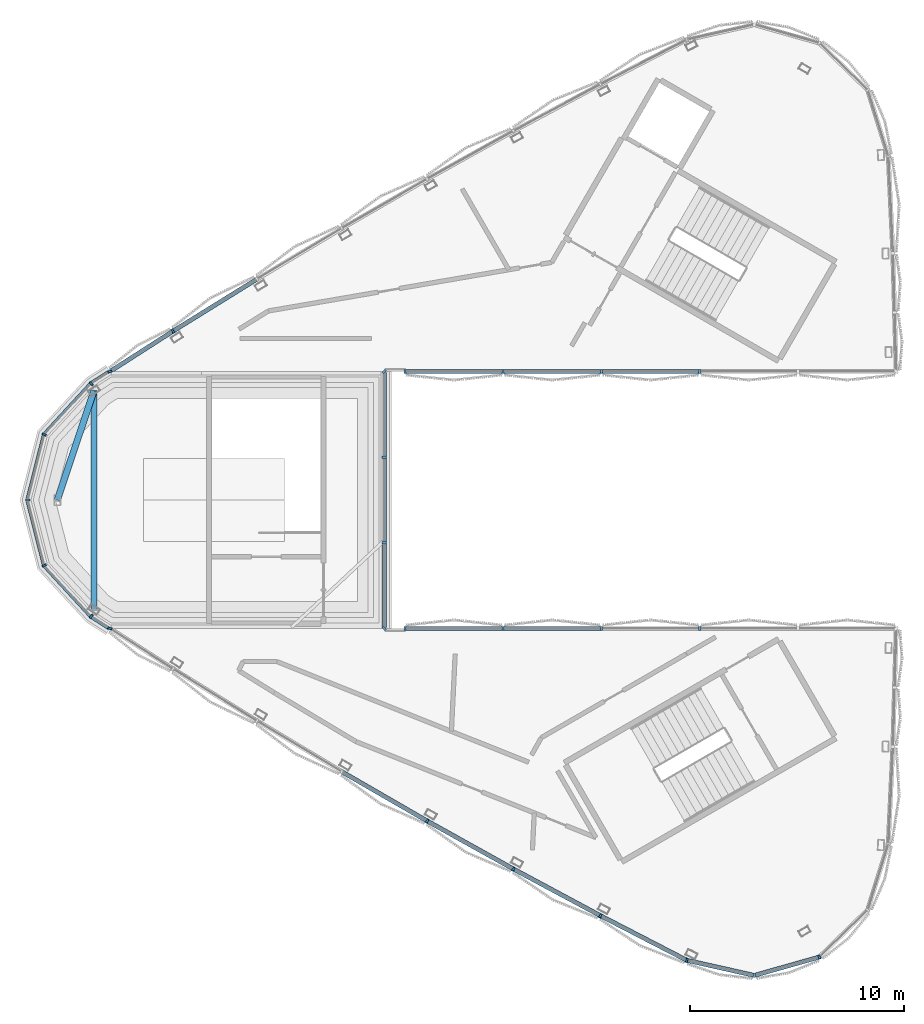
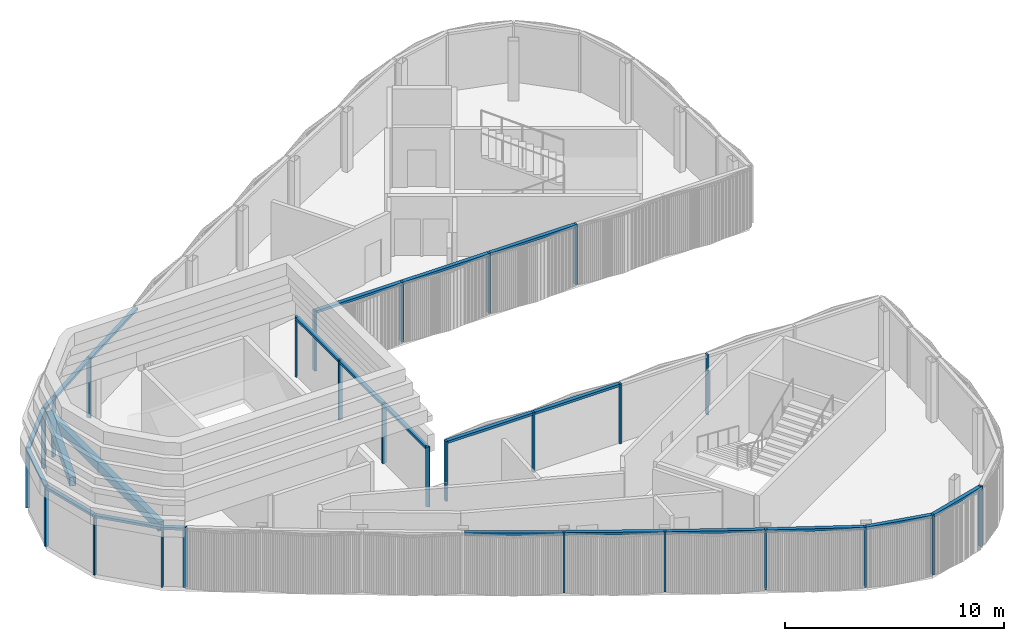
# One storey, part 3 of 16: 43 members, 2 beams, 3 elements without a shape of their own.
"""IFC4 building model written with IfcOpenShell, lengths in metres."""

from ifc_helpers import new_model, si_unit, direction, frame, origin, origin_2d, place, context, subcontext, project, spatial, rectangle, hollow_rectangle, extrude, material, material_profile, profile_set, type_object, element, aggregate, save


model = new_model("IFC4")

# Units and contexts
model_context = context("Model", 3, precision=1e-05, world=origin(), true_north=direction((0.0, 1.0)))
body_context = subcontext(model_context, "Body", "Model", "MODEL_VIEW")
ifc_project = project(units=[si_unit("LENGTHUNIT", "METRE"), si_unit("AREAUNIT", "SQUARE_METRE"), si_unit("VOLUMEUNIT", "CUBIC_METRE"), si_unit("PLANEANGLEUNIT", "RADIAN"), si_unit("MASSUNIT", "GRAM", prefix="KILO")], contexts=[model_context])

# Site, building, storey
site_placement = place(None, origin())
site = spatial("IfcSite", under=ifc_project, at=site_placement, CompositionType="ELEMENT")
building_placement = place(site_placement, origin())
building = spatial("IfcBuilding", under=site, at=building_placement, Name="Tamra Quay Hotel Tower", CompositionType="ELEMENT")
storey_placement = place(building_placement, frame((0.0, 0.0, 327.800048828125)))
storey = spatial("IfcBuildingStorey", under=building, at=storey_placement, Name="Roof crown 3", CompositionType="ELEMENT", Elevation=327.800048828125)

# Beams
ifc_material_1 = material(Name="Structural steel IS 2062 E350", Category="steel")
ifc_material_profile_1 = material_profile(ifc_material_1, hollow_rectangle(XDim=0.300048828125, YDim=0.5, WallThickness=0.01611328125, at=origin_2d()), Name="RHS 500x300x16")
ifc_profile_set_1 = profile_set([ifc_material_profile_1], Name="Structural steel IS 2062 E350")
beam_type = type_object("IfcBeamType", Name="CROWN FRAME RING BEAM RHS 500x300x16", PredefinedType="BEAM", material=ifc_profile_set_1)
beam_1_placement = place(storey_placement, frame((-21.558837890625, -5.107421875, 3.099853515625), z_axis=(0.0, 1.0, 0.0), x_axis=(-1.0, 0.0, 0.0)))
element("IfcBeam", 1, at=beam_1_placement, inside=storey, type_object=beam_type, Name="CF-C-RB00", PredefinedType="BEAM", context=body_context, shape_type="SweptSolid", body=[
    extrude(hollow_rectangle(XDim=0.300048828125, YDim=0.5, WallThickness=0.01611328125, at=origin_2d()), origin(), (0.0, 0.0, 1.0), 10.21484375),
])
beam_2_placement = place(storey_placement, frame((-21.558837890625, 5.107421875, 3.099853515625), z_axis=(-0.318252660138, -0.948005930527, 0.0), x_axis=(0.948005930527, -0.318252660138, 0.0)))
element("IfcBeam", 2, at=beam_2_placement, inside=storey, type_object=beam_type, Name="CF-C-RB01", PredefinedType="BEAM", context=body_context, shape_type="SweptSolid", body=[
    extrude(hollow_rectangle(XDim=0.300048828125, YDim=0.5, WallThickness=0.01611328125, at=origin_2d()), origin(), (0.0, 0.0, 1.0), 5.387451171875),
])

# Curtain wall, members
ifc_material_2 = material(Name="Aluminium 6063 anodised dark grey", Category="aluminium")
curtain_wall_type = type_object("IfcCurtainWallType", Name="CW6 CURTAIN WALL", PredefinedType="NOTDEFINED", material=ifc_material_2)
curtain_wall_1_placement = place(storey_placement, origin())
curtain_wall_1 = element("IfcCurtainWall", 3, at=curtain_wall_1_placement, inside=storey, type_object=curtain_wall_type, Name="CW6 lantern A face Roof crown 3", PredefinedType="NOTDEFINED")
ifc_material_profile_2 = material_profile(ifc_material_2, rectangle(XDim=0.199951171875, YDim=0.10009765625, at=origin_2d()), Name="MULLION 100X200")
ifc_profile_set_2 = profile_set([ifc_material_profile_2], Name="Aluminium 6063 anodised dark grey")
member_type_1 = type_object("IfcMemberType", Name="MULLION CW6", PredefinedType="MULLION", material=ifc_profile_set_2)
member_1_placement = place(storey_placement, frame((-17.867919921875, 7.89111328125, 0.0), z_axis=(0.0, 0.0, 1.0), x_axis=(-0.533422330848, 0.845849050926, 0.0)))
member_1 = element("IfcMember", 4, at=member_1_placement, type_object=member_type_1, Name="CW6 mullion Roof crown 3.A.12", PredefinedType="MULLION", context=body_context, shape_type="SweptSolid", body=[
    extrude(rectangle(XDim=0.199951171875, YDim=0.10009765625, at=origin_2d()), origin(), (0.0, 0.0, 1.0), 3.349853515625),
])
member_2_placement = place(storey_placement, frame((-20.815673828125, 6.0, 0.0), z_axis=(0.0, 0.0, 1.0), x_axis=(-0.959600167912, -0.281367229333, 0.0)))
member_2 = element("IfcMember", 5, at=member_2_placement, type_object=member_type_1, Name="CW6 mullion Roof crown 3.A.13", PredefinedType="MULLION", context=body_context, shape_type="SweptSolid", body=[
    extrude(rectangle(XDim=0.199951171875, YDim=0.10009765625, at=origin_2d()), origin(), (0.0, 0.0, 1.0), 3.349853515625),
])
member_3_placement = place(storey_placement, frame((-7.037353515625, 6.0, 0.0), z_axis=(0.0, 0.0, 1.0), x_axis=(0.0, -1.0, 0.0)))
member_3 = element("IfcMember", 6, at=member_3_placement, type_object=member_type_1, Name="CW6 mullion Roof crown 3.A.13", PredefinedType="MULLION", context=body_context, shape_type="SweptSolid", body=[
    extrude(rectangle(XDim=0.199951171875, YDim=0.10009765625, at=origin_2d()), origin(), (0.0, 0.0, 1.0), 3.349853515625),
])
member_4_placement = place(storey_placement, frame((-2.444580078125, 6.0, 0.0), z_axis=(0.0, 0.0, 1.0), x_axis=(0.0, -1.0, 0.0)))
member_4 = element("IfcMember", 7, at=member_4_placement, type_object=member_type_1, Name="CW6 mullion Roof crown 3.A.14", PredefinedType="MULLION", context=body_context, shape_type="SweptSolid", body=[
    extrude(rectangle(XDim=0.199951171875, YDim=0.10009765625, at=origin_2d()), origin(), (0.0, 0.0, 1.0), 3.349853515625),
])
member_5_placement = place(storey_placement, frame((2.148193359375, 6.0, 0.0), z_axis=(0.0, 0.0, 1.0), x_axis=(0.0, -1.0, 0.0)))
member_5 = element("IfcMember", 8, at=member_5_placement, type_object=member_type_1, Name="CW6 mullion Roof crown 3.A.15", PredefinedType="MULLION", context=body_context, shape_type="SweptSolid", body=[
    extrude(rectangle(XDim=0.199951171875, YDim=0.10009765625, at=origin_2d()), origin(), (0.0, 0.0, 1.0), 3.349853515625),
])
member_6_placement = place(storey_placement, frame((6.740966796875, 6.0, 0.0), z_axis=(0.0, 0.0, 1.0), x_axis=(0.0, -1.0, 0.0)))
member_6 = element("IfcMember", 9, at=member_6_placement, type_object=member_type_1, Name="CW6 mullion Roof crown 3.A.16", PredefinedType="MULLION", context=body_context, shape_type="SweptSolid", body=[
    extrude(rectangle(XDim=0.199951171875, YDim=0.10009765625, at=origin_2d()), origin(), (0.0, 0.0, 1.0), 3.349853515625),
])

curtain_wall_2_placement = place(storey_placement, origin())
curtain_wall_2 = element("IfcCurtainWall", 10, at=curtain_wall_2_placement, inside=storey, type_object=curtain_wall_type, Name="CW6 lantern B face Roof crown 3", PredefinedType="NOTDEFINED")
member_7_placement = place(storey_placement, frame((6.740966796875, -6.0, 0.0), z_axis=(0.0, 0.0, 1.0), x_axis=(0.0, 1.0, 0.0)))
member_7 = element("IfcMember", 11, at=member_7_placement, type_object=member_type_1, Name="CW6 mullion Roof crown 3.B.3", PredefinedType="MULLION", context=body_context, shape_type="SweptSolid", body=[
    extrude(rectangle(XDim=0.199951171875, YDim=0.10009765625, at=origin_2d()), origin(), (0.0, 0.0, 1.0), 3.349853515625),
])
member_8_placement = place(storey_placement, frame((2.148193359375, -6.0, 0.0), z_axis=(0.0, 0.0, 1.0), x_axis=(0.0, 1.0, 0.0)))
member_8 = element("IfcMember", 12, at=member_8_placement, type_object=member_type_1, Name="CW6 mullion Roof crown 3.B.4", PredefinedType="MULLION", context=body_context, shape_type="SweptSolid", body=[
    extrude(rectangle(XDim=0.199951171875, YDim=0.10009765625, at=origin_2d()), origin(), (0.0, 0.0, 1.0), 3.349853515625),
])
member_9_placement = place(storey_placement, frame((-2.444580078125, -6.0, 0.0), z_axis=(0.0, 0.0, 1.0), x_axis=(0.0, 1.0, 0.0)))
member_9 = element("IfcMember", 13, at=member_9_placement, type_object=member_type_1, Name="CW6 mullion Roof crown 3.B.5", PredefinedType="MULLION", context=body_context, shape_type="SweptSolid", body=[
    extrude(rectangle(XDim=0.199951171875, YDim=0.10009765625, at=origin_2d()), origin(), (0.0, 0.0, 1.0), 3.349853515625),
])
member_10_placement = place(storey_placement, frame((-7.037353515625, -6.0, 0.0), z_axis=(0.0, 0.0, 1.0), x_axis=(0.0, 1.0, 0.0)))
member_10 = element("IfcMember", 14, at=member_10_placement, type_object=member_type_1, Name="CW6 mullion Roof crown 3.B.6", PredefinedType="MULLION", context=body_context, shape_type="SweptSolid", body=[
    extrude(rectangle(XDim=0.199951171875, YDim=0.10009765625, at=origin_2d()), origin(), (0.0, 0.0, 1.0), 3.349853515625),
])
member_11_placement = place(storey_placement, frame((-20.815673828125, -6.0, 0.0), z_axis=(0.0, 0.0, 1.0), x_axis=(-0.959600167912, 0.281367229333, 0.0)))
member_11 = element("IfcMember", 15, at=member_11_placement, type_object=member_type_1, Name="CW6 mullion Roof crown 3.B.6", PredefinedType="MULLION", context=body_context, shape_type="SweptSolid", body=[
    extrude(rectangle(XDim=0.199951171875, YDim=0.10009765625, at=origin_2d()), origin(), (0.0, 0.0, 1.0), 3.349853515625),
])
member_12_placement = place(storey_placement, frame((-5.99462890625, -14.995849609375, 0.0), z_axis=(0.0, 0.0, 1.0), x_axis=(-0.493215722033, -0.869907036148, 0.0)))
member_12 = element("IfcMember", 16, at=member_12_placement, type_object=member_type_1, Name="CW6 mullion Roof crown 3.B.10", PredefinedType="MULLION", context=body_context, shape_type="SweptSolid", body=[
    extrude(rectangle(XDim=0.199951171875, YDim=0.10009765625, at=origin_2d()), origin(), (0.0, 0.0, 1.0), 3.349853515625),
])
member_13_placement = place(storey_placement, frame((-1.96435546875, -17.239501953125, 0.0), z_axis=(0.0, 0.0, 1.0), x_axis=(-0.479565116943, -0.877506295483, 0.0)))
member_13 = element("IfcMember", 17, at=member_13_placement, type_object=member_type_1, Name="CW6 mullion Roof crown 3.B.11", PredefinedType="MULLION", context=body_context, shape_type="SweptSolid", body=[
    extrude(rectangle(XDim=0.199951171875, YDim=0.10009765625, at=origin_2d()), origin(), (0.0, 0.0, 1.0), 3.349853515625),
])
member_14_placement = place(storey_placement, frame((2.10009765625, -19.419677734375, 0.0), z_axis=(0.0, 0.0, 1.0), x_axis=(-0.465815600445, -0.884881814923, 0.0)))
member_14 = element("IfcMember", 18, at=member_14_placement, type_object=member_type_1, Name="CW6 mullion Roof crown 3.B.12", PredefinedType="MULLION", context=body_context, shape_type="SweptSolid", body=[
    extrude(rectangle(XDim=0.199951171875, YDim=0.10009765625, at=origin_2d()), origin(), (0.0, 0.0, 1.0), 3.349853515625),
])
member_15_placement = place(storey_placement, frame((6.134033203125, -21.503173828125, 0.0), z_axis=(0.0, 0.0, 1.0), x_axis=(-0.341653426177, -0.939826013888, 0.0)))
member_15 = element("IfcMember", 19, at=member_15_placement, type_object=member_type_1, Name="CW6 mullion Roof crown 3.B.13", PredefinedType="MULLION", context=body_context, shape_type="SweptSolid", body=[
    extrude(rectangle(XDim=0.199951171875, YDim=0.10009765625, at=origin_2d()), origin(), (0.0, 0.0, 1.0), 3.349853515625),
])
member_16_placement = place(storey_placement, frame((9.288330078125, -22.21044921875, 0.0), z_axis=(0.0, 0.0, 1.0), x_axis=(0.027468865497, -0.999622659521, 0.0)))
member_16 = element("IfcMember", 20, at=member_16_placement, type_object=member_type_1, Name="CW6 mullion Roof crown 3.B.14", PredefinedType="MULLION", context=body_context, shape_type="SweptSolid", body=[
    extrude(rectangle(XDim=0.199951171875, YDim=0.10009765625, at=origin_2d()), origin(), (0.0, 0.0, 1.0), 3.349853515625),
])
member_17_placement = place(storey_placement, frame((12.3271484375, -21.351318359375, 0.0), z_axis=(0.0, 0.0, 1.0), x_axis=(0.5, -0.866025403784, 0.0)))
member_17 = element("IfcMember", 21, at=member_17_placement, type_object=member_type_1, Name="CW6 mullion Roof crown 3.B.15", PredefinedType="MULLION", context=body_context, shape_type="SweptSolid", body=[
    extrude(rectangle(XDim=0.199951171875, YDim=0.10009765625, at=origin_2d()), origin(), (0.0, 0.0, 1.0), 3.349853515625),
])

curtain_wall_3_placement = place(storey_placement, origin())
curtain_wall_3 = element("IfcCurtainWall", 22, at=curtain_wall_3_placement, inside=storey, type_object=curtain_wall_type, Name="CW6 lantern C face Roof crown 3", PredefinedType="NOTDEFINED")
member_18_placement = place(storey_placement, frame((-21.689208984375, -5.439453125, 0.0), z_axis=(0.0, 0.0, 1.0), x_axis=(-0.643086490076, -0.765793553304, 0.0)))
member_18 = element("IfcMember", 23, at=member_18_placement, type_object=member_type_1, Name="CW6 mullion Roof crown 3.C.1", PredefinedType="MULLION", context=body_context, shape_type="SweptSolid", body=[
    extrude(rectangle(XDim=0.199951171875, YDim=0.10009765625, at=origin_2d()), origin(), (0.0, 0.0, 1.0), 3.349853515625),
])
member_19_placement = place(storey_placement, frame((-8.0, -6.0, 0.0), z_axis=(0.0, 0.0, 1.0), x_axis=(0.707106781187, -0.707106781187, 0.0)))
member_19 = element("IfcMember", 24, at=member_19_placement, type_object=member_type_1, Name="CW6 mullion Roof crown 3.C.2", PredefinedType="MULLION", context=body_context, shape_type="SweptSolid", body=[
    extrude(rectangle(XDim=0.199951171875, YDim=0.10009765625, at=origin_2d()), origin(), (0.0, 0.0, 1.0), 3.349853515625),
])
member_20_placement = place(storey_placement, frame((-8.0, -2.0, 0.0), z_axis=(0.0, 0.0, 1.0), x_axis=(1.0, 0.0, 0.0)))
member_20 = element("IfcMember", 25, at=member_20_placement, type_object=member_type_1, Name="CW6 mullion Roof crown 3.C.3", PredefinedType="MULLION", context=body_context, shape_type="SweptSolid", body=[
    extrude(rectangle(XDim=0.199951171875, YDim=0.10009765625, at=origin_2d()), origin(), (0.0, 0.0, 1.0), 3.349853515625),
])
member_21_placement = place(storey_placement, frame((-8.0, 2.0, 0.0), z_axis=(0.0, 0.0, 1.0), x_axis=(1.0, 0.0, 0.0)))
member_21 = element("IfcMember", 26, at=member_21_placement, type_object=member_type_1, Name="CW6 mullion Roof crown 3.C.4", PredefinedType="MULLION", context=body_context, shape_type="SweptSolid", body=[
    extrude(rectangle(XDim=0.199951171875, YDim=0.10009765625, at=origin_2d()), origin(), (0.0, 0.0, 1.0), 3.349853515625),
])
member_22_placement = place(storey_placement, frame((-8.0, 6.0, 0.0), z_axis=(0.0, 0.0, 1.0), x_axis=(0.707106781187, 0.707106781187, 0.0)))
member_22 = element("IfcMember", 27, at=member_22_placement, type_object=member_type_1, Name="CW6 mullion Roof crown 3.C.5", PredefinedType="MULLION", context=body_context, shape_type="SweptSolid", body=[
    extrude(rectangle(XDim=0.199951171875, YDim=0.10009765625, at=origin_2d()), origin(), (0.0, 0.0, 1.0), 3.349853515625),
])
member_23_placement = place(storey_placement, frame((-21.689208984375, 5.439453125, 0.0), z_axis=(0.0, 0.0, 1.0), x_axis=(-0.643086490076, 0.765793553304, 0.0)))
member_23 = element("IfcMember", 28, at=member_23_placement, type_object=member_type_1, Name="CW6 mullion Roof crown 3.C.6", PredefinedType="MULLION", context=body_context, shape_type="SweptSolid", body=[
    extrude(rectangle(XDim=0.199951171875, YDim=0.10009765625, at=origin_2d()), origin(), (0.0, 0.0, 1.0), 3.349853515625),
])
member_24_placement = place(storey_placement, frame((-23.879150390625, 3.061279296875, 0.0), z_axis=(0.0, 0.0, 1.0), x_axis=(-0.879433050093, 0.476022594427, 0.0)))
member_24 = element("IfcMember", 29, at=member_24_placement, type_object=member_type_1, Name="CW6 mullion Roof crown 3.C.7", PredefinedType="MULLION", context=body_context, shape_type="SweptSolid", body=[
    extrude(rectangle(XDim=0.199951171875, YDim=0.10009765625, at=origin_2d()), origin(), (0.0, 0.0, 1.0), 3.349853515625),
])
member_25_placement = place(storey_placement, frame((-24.654541015625, 0.0, 0.0), z_axis=(0.0, 0.0, 1.0), x_axis=(-1.0, 0.0, 0.0)))
member_25 = element("IfcMember", 30, at=member_25_placement, type_object=member_type_1, Name="CW6 mullion Roof crown 3.C.8", PredefinedType="MULLION", context=body_context, shape_type="SweptSolid", body=[
    extrude(rectangle(XDim=0.199951171875, YDim=0.10009765625, at=origin_2d()), origin(), (0.0, 0.0, 1.0), 3.349853515625),
])
member_26_placement = place(storey_placement, frame((-23.879150390625, -3.061279296875, 0.0), z_axis=(0.0, 0.0, 1.0), x_axis=(-0.879433050093, -0.476022594427, 0.0)))
member_26 = element("IfcMember", 31, at=member_26_placement, type_object=member_type_1, Name="CW6 mullion Roof crown 3.C.9", PredefinedType="MULLION", context=body_context, shape_type="SweptSolid", body=[
    extrude(rectangle(XDim=0.199951171875, YDim=0.10009765625, at=origin_2d()), origin(), (0.0, 0.0, 1.0), 3.349853515625),
])

# Member
ifc_material_profile_3 = material_profile(ifc_material_2, rectangle(XDim=0.199951171875, YDim=0.139892578125, at=origin_2d()), Name="TRANSOM 200X140")
ifc_profile_set_3 = profile_set([ifc_material_profile_3], Name="Aluminium 6063 anodised dark grey")
member_type_2 = type_object("IfcMemberType", Name="TRANSOM CW6", PredefinedType="USERDEFINED", material=ifc_profile_set_3)
member_27_placement = place(storey_placement, frame((-13.989990234375, 10.294677734375, 3.280029296875), z_axis=(-0.849980220175, -0.526814602409, 0.0), x_axis=(0.526814602409, -0.849980220175, 0.0)))
member_27 = element("IfcMember", 32, at=member_27_placement, type_object=member_type_2, Name="CW6 transom Roof crown 3.A.11", ObjectType="TRANSOM", PredefinedType="USERDEFINED", context=body_context, shape_type="SweptSolid", body=[
    extrude(rectangle(XDim=0.199951171875, YDim=0.139892578125, at=origin_2d()), origin(), (0.0, 0.0, 1.0), 4.512451171875),
])

member_28_placement = place(storey_placement, frame((-17.909912109375, 7.8642578125, 3.280029296875), z_axis=(-0.841670083092, -0.53999210293, 0.0), x_axis=(0.53999210293, -0.841670083092, 0.0)))
member_28 = element("IfcMember", 33, at=member_28_placement, type_object=member_type_2, Name="CW6 transom Roof crown 3.A.12", ObjectType="TRANSOM", PredefinedType="USERDEFINED", context=body_context, shape_type="SweptSolid", body=[
    extrude(rectangle(XDim=0.199951171875, YDim=0.139892578125, at=origin_2d()), origin(), (0.0, 0.0, 1.0), 3.402099609375),
])

member_29_placement = place(storey_placement, frame((-6.9873046875, 6.0, 3.280029296875), z_axis=(1.0, 0.0, 0.0), x_axis=(0.0, 1.0, 0.0)))
member_29 = element("IfcMember", 34, at=member_29_placement, type_object=member_type_2, Name="CW6 transom Roof crown 3.A.13", ObjectType="TRANSOM", PredefinedType="USERDEFINED", context=body_context, shape_type="SweptSolid", body=[
    extrude(rectangle(XDim=0.199951171875, YDim=0.139892578125, at=origin_2d()), origin(), (0.0, 0.0, 1.0), 13.67822265625),
])

aggregate(curtain_wall_1, [member_27, member_1, member_28, member_2, member_3, member_29, member_4, member_5, member_6])

member_30_placement = place(storey_placement, frame((2.09814453125, -6.0, 3.280029296875), z_axis=(-1.0, 0.0, 0.0), x_axis=(0.0, -1.0, 0.0)))
member_30 = element("IfcMember", 35, at=member_30_placement, type_object=member_type_2, Name="CW6 transom Roof crown 3.B.4", ObjectType="TRANSOM", PredefinedType="USERDEFINED", context=body_context, shape_type="SweptSolid", body=[
    extrude(rectangle(XDim=0.199951171875, YDim=0.139892578125, at=origin_2d()), origin(), (0.0, 0.0, 1.0), 9.08544921875),
])

member_31_placement = place(storey_placement, frame((-9.946044921875, -12.71435546875, 3.280029296875), z_axis=(0.86601710485, -0.5000143739, 0.0), x_axis=(0.5000143739, 0.86601710485, 0.0)))
member_31 = element("IfcMember", 36, at=member_31_placement, type_object=member_type_2, Name="CW6 transom Roof crown 3.B.9", ObjectType="TRANSOM", PredefinedType="USERDEFINED", context=body_context, shape_type="SweptSolid", body=[
    extrude(rectangle(XDim=0.199951171875, YDim=0.139892578125, at=origin_2d()), origin(), (0.0, 0.0, 1.0), 4.512451171875),
])

member_32_placement = place(storey_placement, frame((-5.950927734375, -15.02001953125, 3.280029296875), z_axis=(0.8737256573, -0.486419033114, 0.0), x_axis=(0.486419033114, 0.8737256573, 0.0)))
member_32 = element("IfcMember", 37, at=member_32_placement, type_object=member_type_2, Name="CW6 transom Roof crown 3.B.10", ObjectType="TRANSOM", PredefinedType="USERDEFINED", context=body_context, shape_type="SweptSolid", body=[
    extrude(rectangle(XDim=0.199951171875, YDim=0.139892578125, at=origin_2d()), origin(), (0.0, 0.0, 1.0), 4.5126953125),
])

member_33_placement = place(storey_placement, frame((-1.92041015625, -17.262939453125, 3.280029296875), z_axis=(0.881213593075, -0.47271831293, 0.0), x_axis=(0.47271831293, 0.881213593075, 0.0)))
member_33 = element("IfcMember", 38, at=member_33_placement, type_object=member_type_2, Name="CW6 transom Roof crown 3.B.11", ObjectType="TRANSOM", PredefinedType="USERDEFINED", context=body_context, shape_type="SweptSolid", body=[
    extrude(rectangle(XDim=0.199951171875, YDim=0.139892578125, at=origin_2d()), origin(), (0.0, 0.0, 1.0), 4.51220703125),
])

member_34_placement = place(storey_placement, frame((2.14453125, -19.442626953125, 3.280029296875), z_axis=(0.888489056093, -0.458897806928, 0.0), x_axis=(0.458897806928, 0.888489056093, 0.0)))
member_34 = element("IfcMember", 39, at=member_34_placement, type_object=member_type_2, Name="CW6 transom Roof crown 3.B.12", ObjectType="TRANSOM", PredefinedType="USERDEFINED", context=body_context, shape_type="SweptSolid", body=[
    extrude(rectangle(XDim=0.199951171875, YDim=0.139892578125, at=origin_2d()), origin(), (0.0, 0.0, 1.0), 4.440185546875),
])

member_35_placement = place(storey_placement, frame((6.182861328125, -21.51416015625, 3.280029296875), z_axis=(0.97575974355, -0.218844517563, 0.0), x_axis=(0.218844517563, 0.97575974355, 0.0)))
member_35 = element("IfcMember", 40, at=member_35_placement, type_object=member_type_2, Name="CW6 transom Roof crown 3.B.13", ObjectType="TRANSOM", PredefinedType="USERDEFINED", context=body_context, shape_type="SweptSolid", body=[
    extrude(rectangle(XDim=0.199951171875, YDim=0.139892578125, at=origin_2d()), origin(), (0.0, 0.0, 1.0), 3.132568359375),
])

member_36_placement = place(storey_placement, frame((9.33642578125, -22.197021484375, 3.280029296875), z_axis=(0.962273511824, 0.272083973143, 0.0), x_axis=(-0.272083973143, 0.962273511824, 0.0)))
member_36 = element("IfcMember", 41, at=member_36_placement, type_object=member_type_2, Name="CW6 transom Roof crown 3.B.14", ObjectType="TRANSOM", PredefinedType="USERDEFINED", context=body_context, shape_type="SweptSolid", body=[
    extrude(rectangle(XDim=0.199951171875, YDim=0.139892578125, at=origin_2d()), origin(), (0.0, 0.0, 1.0), 3.05810546875),
])

aggregate(curtain_wall_2, [member_7, member_8, member_30, member_9, member_10, member_11, member_31, member_12, member_32, member_13, member_33, member_14, member_34, member_15, member_35, member_16, member_36, member_17])

member_37_placement = place(storey_placement, frame((-21.647216796875, -5.46630859375, 3.280029296875), z_axis=(0.841651678123, -0.540020789148, 0.0), x_axis=(0.540020789148, 0.841651678123, 0.0)))
member_37 = element("IfcMember", 42, at=member_37_placement, type_object=member_type_2, Name="CW6 transom Roof crown 3.C.1", ObjectType="TRANSOM", PredefinedType="USERDEFINED", context=body_context, shape_type="SweptSolid", body=[
    extrude(rectangle(XDim=0.199951171875, YDim=0.139892578125, at=origin_2d()), origin(), (0.0, 0.0, 1.0), 0.93798828125),
])

member_38_placement = place(storey_placement, frame((-8.0, -5.949951171875, 3.280029296875), z_axis=(0.0, 1.0, 0.0), x_axis=(-1.0, 0.0, 0.0)))
member_38 = element("IfcMember", 43, at=member_38_placement, type_object=member_type_2, Name="CW6 transom Roof crown 3.C.2", ObjectType="TRANSOM", PredefinedType="USERDEFINED", context=body_context, shape_type="SweptSolid", body=[
    extrude(rectangle(XDim=0.199951171875, YDim=0.139892578125, at=origin_2d()), origin(), (0.0, 0.0, 1.0), 11.89990234375),
])

member_39_placement = place(storey_placement, frame((-20.857666015625, 5.972900390625, 3.280029296875), z_axis=(-0.841651678123, -0.540020789148, 0.0), x_axis=(0.540020789148, -0.841651678123, 0.0)))
member_39 = element("IfcMember", 44, at=member_39_placement, type_object=member_type_2, Name="CW6 transom Roof crown 3.C.5", ObjectType="TRANSOM", PredefinedType="USERDEFINED", context=body_context, shape_type="SweptSolid", body=[
    extrude(rectangle(XDim=0.199951171875, YDim=0.139892578125, at=origin_2d()), origin(), (0.0, 0.0, 1.0), 0.93798828125),
])

member_40_placement = place(storey_placement, frame((-21.72314453125, 5.402587890625, 3.280029296875), z_axis=(-0.677399189822, -0.735615618124, 0.0), x_axis=(0.735615618124, -0.677399189822, 0.0)))
member_40 = element("IfcMember", 45, at=member_40_placement, type_object=member_type_2, Name="CW6 transom Roof crown 3.C.6", ObjectType="TRANSOM", PredefinedType="USERDEFINED", context=body_context, shape_type="SweptSolid", body=[
    extrude(rectangle(XDim=0.199951171875, YDim=0.139892578125, at=origin_2d()), origin(), (0.0, 0.0, 1.0), 3.132568359375),
])

member_41_placement = place(storey_placement, frame((-23.891357421875, 3.012939453125, 3.280029296875), z_axis=(-0.245502593991, -0.969395933736, 0.0), x_axis=(0.969395933736, -0.245502593991, 0.0)))
member_41 = element("IfcMember", 46, at=member_41_placement, type_object=member_type_2, Name="CW6 transom Roof crown 3.C.7", ObjectType="TRANSOM", PredefinedType="USERDEFINED", context=body_context, shape_type="SweptSolid", body=[
    extrude(rectangle(XDim=0.199951171875, YDim=0.139892578125, at=origin_2d()), origin(), (0.0, 0.0, 1.0), 3.057861328125),
])

member_42_placement = place(storey_placement, frame((-24.64208984375, -0.048583984375, 3.280029296875), z_axis=(0.245502593991, -0.969395933736, 0.0), x_axis=(0.969395933736, 0.245502593991, 0.0)))
member_42 = element("IfcMember", 47, at=member_42_placement, type_object=member_type_2, Name="CW6 transom Roof crown 3.C.8", ObjectType="TRANSOM", PredefinedType="USERDEFINED", context=body_context, shape_type="SweptSolid", body=[
    extrude(rectangle(XDim=0.199951171875, YDim=0.139892578125, at=origin_2d()), origin(), (0.0, 0.0, 1.0), 3.057861328125),
])

member_43_placement = place(storey_placement, frame((-23.84521484375, -3.09814453125, 3.280029296875), z_axis=(0.677399189822, -0.735615618124, 0.0), x_axis=(0.735615618124, 0.677399189822, 0.0)))
member_43 = element("IfcMember", 48, at=member_43_placement, type_object=member_type_2, Name="CW6 transom Roof crown 3.C.9", ObjectType="TRANSOM", PredefinedType="USERDEFINED", context=body_context, shape_type="SweptSolid", body=[
    extrude(rectangle(XDim=0.199951171875, YDim=0.139892578125, at=origin_2d()), origin(), (0.0, 0.0, 1.0), 3.132568359375),
])

aggregate(curtain_wall_3, [member_18, member_37, member_19, member_38, member_20, member_21, member_22, member_39, member_23, member_40, member_24, member_41, member_25, member_42, member_26, member_43])

save(model, "model.ifc")
